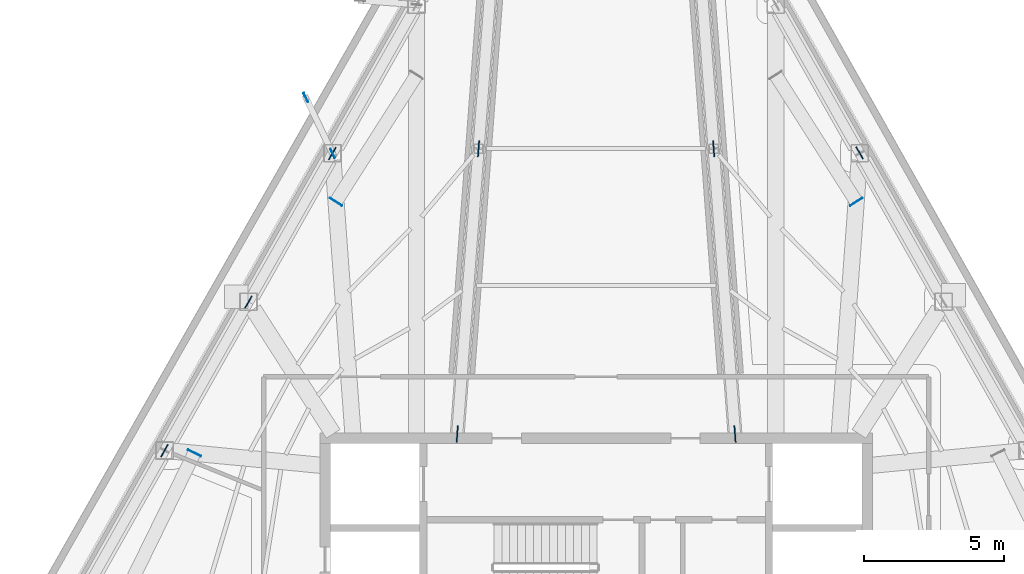
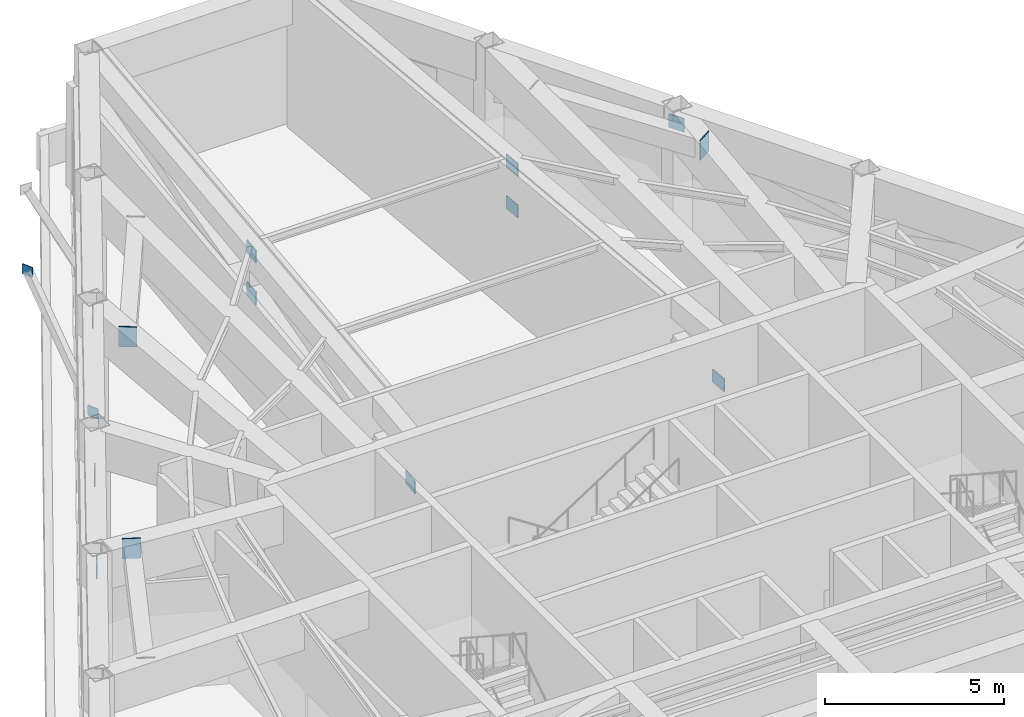
# One storey, part 6 of 13: 15 plates.
"""IFC4 building model written with IfcOpenShell, lengths in metres."""

import ifcopenshell
import ifcopenshell.guid

model = None  # the IFC model being written
_history = None  # IfcOwnerHistory: only IFC2X3 demands one
_inside = {}  # id of a spatial element -> (the spatial element, [elements in it])
_under = {}  # id of a project, library or spatial element -> (it, [spatial elements below it])
_declared = {}  # id of a project -> (the project, [libraries it declares])
_typed = {}  # id of a type object -> (the type object, [elements of that type])
_made_of = {}  # id of a material, layer set ... -> (it, [elements and type objects made of it])


def new_model(schema):
    """Start an empty IFC model of exactly this schema.

    Asked for "IFC4X3", IfcOpenShell would pick the latest addendum, in which some entities
    have other attributes; the version numbers below select the first issue.
    IFC2X3 requires an IfcOwnerHistory on every rooted entity: one is made here for all.
    """
    global model, _history
    if schema == "IFC4X3":
        model = ifcopenshell.file(schema_version=(4, 3, 0, 0))
    else:
        model = ifcopenshell.file(schema=schema)
    _inside.clear()
    _under.clear()
    _declared.clear()
    _typed.clear()
    _made_of.clear()
    _history = None
    if model.schema == "IFC2X3":
        org = make("IfcOrganization", Name="unknown")
        user = make(
            "IfcPersonAndOrganization",
            ThePerson=make("IfcPerson", FamilyName="unknown"),
            TheOrganization=org,
        )
        app = make(
            "IfcApplication",
            ApplicationDeveloper=org,
            Version="unknown",
            ApplicationFullName="unknown",
            ApplicationIdentifier="unknown",
        )
        _history = make(
            "IfcOwnerHistory",
            OwningUser=user,
            OwningApplication=app,
            ChangeAction="ADDED",
            CreationDate=0,
        )
    return model


def make(cls, **values):
    """One entity of the class cls with the attributes given. An attribute that is None is left unset."""
    return model.create_entity(
        cls, **{name: value for name, value in values.items() if value is not None}
    )


def rooted(cls, **values):
    """An entity with a GlobalId (a new one), such as an element, a storey or a relation."""
    return make(cls, GlobalId=ifcopenshell.guid.new(), OwnerHistory=_history, **values)


def si_unit(unit_type, name, prefix=None):
    """IfcSIUnit, for example si_unit("LENGTHUNIT", "METRE", prefix="MILLI")."""
    return make("IfcSIUnit", UnitType=unit_type, Prefix=prefix, Name=name)


def assignment(units):
    """IfcUnitAssignment: the units of a project."""
    return None if units is None else make("IfcUnitAssignment", Units=units)


def point(xyz):
    """IfcCartesianPoint."""
    return None if xyz is None else make("IfcCartesianPoint", Coordinates=xyz)


def direction(xyz):
    """IfcDirection."""
    return None if xyz is None else make("IfcDirection", DirectionRatios=xyz)


def frame(location, z_axis=None, x_axis=None):
    """IfcAxis2Placement3D, a coordinate frame: its origin and axes. An axis left out is left unset."""
    return make(
        "IfcAxis2Placement3D",
        Location=point(location),
        Axis=direction(z_axis),
        RefDirection=direction(x_axis),
    )


def frame_2d(location, x_axis=None):
    """IfcAxis2Placement2D, a coordinate frame in the plane: its origin and x axis."""
    return make(
        "IfcAxis2Placement2D", Location=point(location), RefDirection=direction(x_axis)
    )


def origin():
    """The frame at (0, 0, 0) with its axes left unset."""
    return frame((0.0, 0.0, 0.0))


def origin_2d():
    """The frame at (0, 0) in the plane with its x axis left unset."""
    return frame_2d((0.0, 0.0))


def place(relative_to, where):
    """IfcLocalPlacement: puts the frame where relative to a parent placement (None: the world)."""
    return make(
        "IfcLocalPlacement", PlacementRelTo=relative_to, RelativePlacement=where
    )


def context(
    kind, dimensions, precision=None, world=None, true_north=None, identifier=None
):
    """IfcGeometricRepresentationContext, for example the 3D "Model" context."""
    return make(
        "IfcGeometricRepresentationContext",
        ContextIdentifier=identifier,
        ContextType=kind,
        CoordinateSpaceDimension=dimensions,
        Precision=precision,
        WorldCoordinateSystem=world,
        TrueNorth=true_north,
    )


def subcontext(parent, identifier, kind, view, scale=None):
    """IfcGeometricRepresentationSubContext, for example "Body" below "Model"."""
    return make(
        "IfcGeometricRepresentationSubContext",
        ContextIdentifier=identifier,
        ContextType=kind,
        ParentContext=parent,
        TargetScale=scale,
        TargetView=view,
    )


def project(units=None, contexts=None):
    """IfcProject with its units and contexts."""
    return rooted(
        "IfcProject",
        Name="project",
        RepresentationContexts=contexts,
        UnitsInContext=assignment(units),
    )


def spatial(cls, under=None, at=None, **own):
    """A site, building, storey or space (cls), placed at a placement, below another one or the project."""
    s = rooted(cls, ObjectPlacement=at, **own)
    if under is not None:
        _under.setdefault(under.id(), (under, []))[1].append(s)
    return s


def profile(cls, at=None, kind="AREA", **sizes):
    """A parametric profile (cls). Its sizes go by their IFC names, for example OverallWidth=200.0."""
    return make(cls, ProfileType=kind, Position=at, **sizes)


def rectangle(**sizes):
    """IfcRectangleProfileDef."""
    return profile("IfcRectangleProfileDef", **sizes)


def extrude(swept, where, along, depth):
    """IfcExtrudedAreaSolid: the profile swept, set in the frame where, extruded along a direction by depth."""
    return make(
        "IfcExtrudedAreaSolid",
        SweptArea=swept,
        Position=where,
        ExtrudedDirection=direction(along),
        Depth=depth,
    )


def shape(context_of_items, identifier, shape_type, items):
    """IfcShapeRepresentation: the items that make up one representation, for example the "Body"."""
    return make(
        "IfcShapeRepresentation",
        ContextOfItems=context_of_items,
        RepresentationIdentifier=identifier,
        RepresentationType=shape_type,
        Items=items,
    )


def material(Name=None, Category=None):
    """IfcMaterial."""
    return make("IfcMaterial", Name=Name, Category=Category)


def layer(
    of_material, thickness, ventilated=None, Name=None, Category=None, Priority=None
):
    """IfcMaterialLayer: one layer of a wall or slab, of a material (None: an air gap)."""
    return make(
        "IfcMaterialLayer",
        Material=of_material,
        LayerThickness=thickness,
        IsVentilated=ventilated,
        Name=Name,
        Category=Category,
        Priority=Priority,
    )


def layer_set(layers, Name=None):
    """IfcMaterialLayerSet."""
    return make("IfcMaterialLayerSet", MaterialLayers=layers, LayerSetName=Name)


def made_of(thing, what):
    """Note that an element or type object is made of a material, layer set ...; save() writes the relation."""
    if what is not None:
        _made_of.setdefault(what.id(), (what, []))[1].append(thing)
    return thing


def type_object(cls, material=None, **own):
    """A type object (cls), such as IfcWallType, which elements share."""
    return made_of(rooted(cls, **own), material)


def element(
    cls,
    number,
    at=None,
    inside=None,
    cuts=None,
    type_object=None,
    material=None,
    context=None,
    identifier="Body",
    shape_type=None,
    held_by="IfcProductDefinitionShape",
    body=None,
    shapes=None,
    **own,
):
    """One element of the class cls, such as IfcWall. Its Tag is "e" and its number.

    at: its placement. inside: the storey or other place that contains it. cuts: it is an
    opening in that element (IfcRelVoidsElement). A single representation is given by context,
    identifier, shape_type and body (its items); several are given by shapes. held_by: the class
    of the entity that holds the representations. save() writes the other relations.
    """
    e = rooted(cls, Tag="e%d" % number, ObjectPlacement=at, **own)
    if body is not None:
        shapes = [shape(context, identifier, shape_type, body)]
    if shapes is not None:
        e.Representation = make(held_by, Representations=shapes)
    if inside is not None:
        _inside.setdefault(inside.id(), (inside, []))[1].append(e)
    if cuts is not None:
        rooted(
            "IfcRelVoidsElement", RelatingBuildingElement=cuts, RelatedOpeningElement=e
        )
    if type_object is not None:
        _typed.setdefault(type_object.id(), (type_object, []))[1].append(e)
    return made_of(e, material)


def aggregate(whole, parts):
    """IfcRelAggregates: a whole, such as a stair, and the parts it consists of."""
    return rooted("IfcRelAggregates", RelatingObject=whole, RelatedObjects=parts)


def save(model, path):
    """Write the relations noted so far, then the file.

    IfcRelAggregates (storeys below a building ...), IfcRelContainedInSpatialStructure (elements
    in a storey), IfcRelDefinesByType, IfcRelAssociatesMaterial and IfcRelDeclares: one each for
    every whole, place, type object, material and project.
    """
    for whole, parts in _under.values():
        aggregate(whole, parts)
    for where, things in _inside.values():
        rooted(
            "IfcRelContainedInSpatialStructure",
            RelatedElements=things,
            RelatingStructure=where,
        )
    for kind, things in _typed.values():
        rooted("IfcRelDefinesByType", RelatedObjects=things, RelatingType=kind)
    for what, things in _made_of.values():
        rooted("IfcRelAssociatesMaterial", RelatedObjects=things, RelatingMaterial=what)
    for by, libraries in _declared.values():
        rooted("IfcRelDeclares", RelatingContext=by, RelatedDefinitions=libraries)
    model.write(path)


model = new_model("IFC4")

# Units and contexts
model_context = context("Model", 3, precision=1e-05, world=origin(), true_north=direction((0.0, 1.0)))
body_context = subcontext(model_context, "Body", "Model", "MODEL_VIEW")
ifc_project = project(units=[si_unit("LENGTHUNIT", "METRE"), si_unit("AREAUNIT", "SQUARE_METRE"), si_unit("VOLUMEUNIT", "CUBIC_METRE"), si_unit("PLANEANGLEUNIT", "RADIAN"), si_unit("MASSUNIT", "GRAM", prefix="KILO")], contexts=[model_context])

# Site, building, storey
site_placement = place(None, origin())
site = spatial("IfcSite", under=ifc_project, at=site_placement, CompositionType="ELEMENT")
building_placement = place(site_placement, origin())
building = spatial("IfcBuilding", under=site, at=building_placement, Name="Kavelnor Concourse Tower", CompositionType="ELEMENT")
storey_placement = place(building_placement, frame((0.0, 0.0, 234.300048828125)))
storey = spatial("IfcBuildingStorey", under=building, at=storey_placement, Name="L59", CompositionType="ELEMENT", Elevation=234.300048828125)

# Plates
ifc_material = material(Name="Steel Grade 350", Category="steel")
ifc_layer_1 = layer(ifc_material, 0.028076171875, Name="Steel Grade 350")
ifc_layer_set_1 = layer_set([ifc_layer_1], Name="Steel Grade 350")
plate_type_1 = type_object("IfcPlateType", Name="PL-GUSSET-FOLD", PredefinedType="USERDEFINED", material=ifc_layer_set_1)
for number, where, z_axis, x_axis, name in (
    (1, (28.56201171875, 32.987548828125, 0.8798828125), (0.0, 0.0, 1.0), (-0.431928342753, 0.901907925859, 0.0), "L59 Balcony Strut Gusset GP4 1-B End Gusset A"),
    (2, (27.601318359375, 34.993408203125, 4.8349609375), (0.0, 0.0, 1.0), (-0.431928342753, 0.901907925859, 0.0), "L59 Balcony Strut Gusset GP4 1-B End Gusset B"),
):
    element("IfcPlate", number, at=place(storey_placement, frame(where, z_axis=z_axis, x_axis=x_axis)), inside=storey, type_object=plate_type_1, Name=name, ObjectType="GUSSET_PLATE", PredefinedType="USERDEFINED", context=body_context, shape_type="SweptSolid", body=[
        extrude(rectangle(XDim=0.360107421875, YDim=0.028076171875, at=origin_2d()), origin(), (0.0, 0.0, 1.0), 0.340087890625),
    ])
ifc_layer_2 = layer(ifc_material, 0.035888671875, Name="Steel Grade 350")
ifc_layer_set_2 = layer_set([ifc_layer_2], Name="Steel Grade 350")
plate_type_2 = type_object("IfcPlateType", Name="PL-GUSSET-OUTRIG", PredefinedType="USERDEFINED", material=ifc_layer_set_2)
for number, where, z_axis, x_axis, name in (
    (3, (33.025390625, 22.940185546875, 2.9599609375), (0.0, 0.0, 1.0), (0.074456591657, 0.997224255601, 0.0), "L59 Outrigger Truss Node Gusset Plate GP2 F0A-B0"),
    (4, (33.788818359375, 33.162109375, 2.9599609375), (0.0, 0.0, 1.0), (0.074456591657, 0.997224255601, 0.0), "L59 Outrigger Truss Node Gusset Plate GP2 F0A-MB"),
    (5, (33.788818359375, 33.162109375, 4.3798828125), (0.0, 0.0, 1.0), (0.074456591657, 0.997224255601, 0.0), "L59 Outrigger Truss Node Gusset Plate GP2 F0A-MT"),
    (6, (42.974609375, 22.940185546875, 2.9599609375), (0.0, 0.0, 1.0), (-0.074456591657, 0.997224255601, 0.0), "L59 Outrigger Truss Node Gusset Plate GP2 F2B-B0"),
    (7, (42.211181640625, 33.162109375, 2.9599609375), (0.0, 0.0, 1.0), (-0.074456591657, 0.997224255601, 0.0), "L59 Outrigger Truss Node Gusset Plate GP2 F2B-MB"),
    (8, (42.211181640625, 33.162109375, 4.3798828125), (0.0, 0.0, 1.0), (-0.074456591657, 0.997224255601, 0.0), "L59 Outrigger Truss Node Gusset Plate GP2 F2B-MT"),
):
    element("IfcPlate", number, at=place(storey_placement, frame(where, z_axis=z_axis, x_axis=x_axis)), inside=storey, type_object=plate_type_2, Name=name, ObjectType="GUSSET_PLATE", PredefinedType="USERDEFINED", context=body_context, shape_type="SweptSolid", body=[
        extrude(rectangle(XDim=0.580078125, YDim=0.035888671875, at=origin_2d()), origin(), (0.0, 0.0, 1.0), 0.43994140625),
    ])
for number, where, z_axis, x_axis, name in (
    (9, (28.55078125, 32.98779296875, 4.080078125), (0.0, 0.0, 1.0), (-0.491967775447, -0.870613408995, 0.0), "L59 Belt Truss Diagonal F0-B1 End Gusset B"),
    (10, (25.54345703125, 27.6650390625, 2.949951171875), (0.0, 0.0, 1.0), (0.491967775447, 0.870613408995, 0.0), "L59 Belt Truss Diagonal F0-B2 End Gusset A"),
    (11, (22.5361328125, 22.34228515625, 4.080078125), (0.0, 0.0, 1.0), (-0.491967775447, -0.870613408995, 0.0), "L59 Belt Truss Diagonal F0-B3 End Gusset B"),
    (12, (47.437255859375, 33.0087890625, 4.080078125), (0.0, 0.0, 1.0), (-0.491967775447, 0.870613408995, 0.0), "L59 Belt Truss Diagonal F2-B3 End Gusset B"),
):
    element("IfcPlate", number, at=place(storey_placement, frame(where, z_axis=z_axis, x_axis=x_axis)), inside=storey, type_object=plate_type_2, Name=name, ObjectType="GUSSET_PLATE", PredefinedType="USERDEFINED", context=body_context, shape_type="SweptSolid", body=[
        extrude(rectangle(XDim=0.5, YDim=0.035888671875, at=origin_2d()), origin(), (0.0, 0.0, 1.0), 0.4599609375),
    ])
ifc_layer_3 = layer(ifc_material, 0.02490234375, Name="Steel Grade 350")
ifc_layer_set_3 = layer_set([ifc_layer_3], Name="Steel Grade 350")
plate_type_3 = type_object("IfcPlateType", Name="PL-SPLICE-FLANGE", PredefinedType="SHEET", material=ifc_layer_set_3)
for number, where, z_axis, x_axis, name in (
    (13, (28.677001953125, 31.25927734375, 4.2900390625), (0.0, 0.0, 1.0), (0.843485209439, -0.537152400588, 0.0), "L59 Belt Truss Chord End Cap F0-B1-B"),
    (14, (23.607666015625, 22.26123046875, 4.2900390625), (0.0, 0.0, 1.0), (-0.898104345953, 0.439782427776, 0.0), "L59 Belt Truss Chord End Cap F0-B4-A"),
    (15, (47.322998046875, 31.25927734375, 4.2900390625), (0.0, 0.0, 1.0), (0.843485209439, 0.537152400588, 0.0), "L59 Belt Truss Chord End Cap F2-B4-A"),
):
    element("IfcPlate", number, at=place(storey_placement, frame(where, z_axis=z_axis, x_axis=x_axis)), inside=storey, type_object=plate_type_3, Name=name, PredefinedType="SHEET", context=body_context, shape_type="SweptSolid", body=[
        extrude(rectangle(XDim=0.52001953125, YDim=0.028076171875, at=origin_2d()), origin(), (0.0, 0.0, 1.0), 0.68994140625),
    ])

save(model, "model.ifc")
